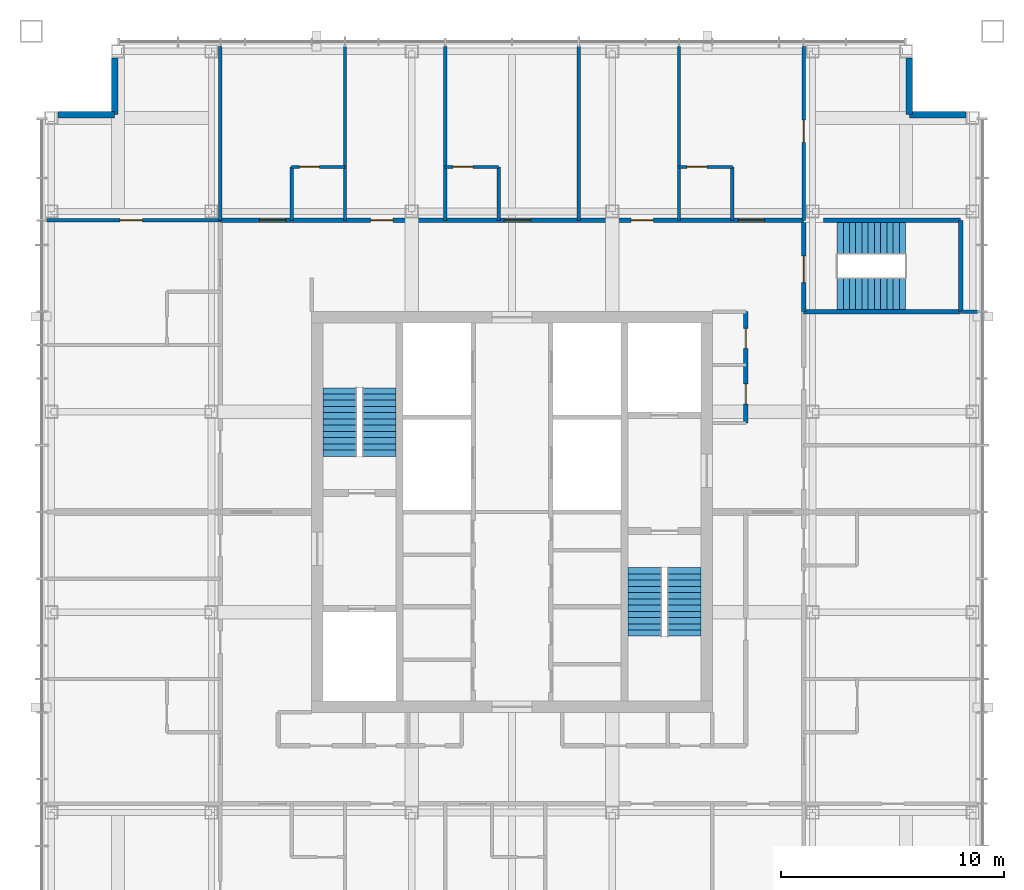
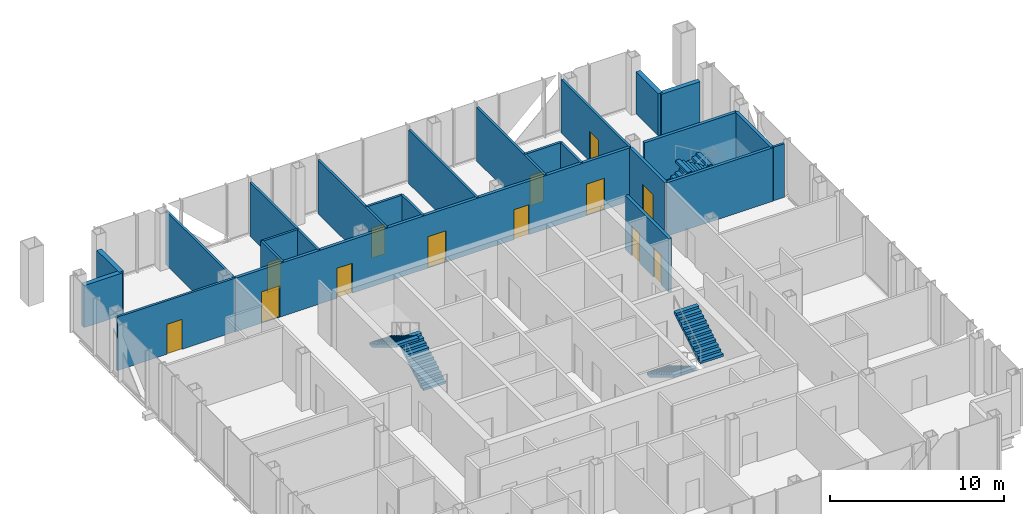
# One storey, part 10 of 11: 24 walls, 13 doors, 6 stair flights, 13 openings, 3 elements without a shape of their own.
"""IFC4 building model written with IfcOpenShell, lengths in metres."""

import ifcopenshell
import ifcopenshell.guid

model = None  # the IFC model being written
_history = None  # IfcOwnerHistory: only IFC2X3 demands one
_inside = {}  # id of a spatial element -> (the spatial element, [elements in it])
_under = {}  # id of a project, library or spatial element -> (it, [spatial elements below it])
_declared = {}  # id of a project -> (the project, [libraries it declares])
_typed = {}  # id of a type object -> (the type object, [elements of that type])
_made_of = {}  # id of a material, layer set ... -> (it, [elements and type objects made of it])


def new_model(schema):
    """Start an empty IFC model of exactly this schema.

    Asked for "IFC4X3", IfcOpenShell would pick the latest addendum, in which some entities
    have other attributes; the version numbers below select the first issue.
    IFC2X3 requires an IfcOwnerHistory on every rooted entity: one is made here for all.
    """
    global model, _history
    if schema == "IFC4X3":
        model = ifcopenshell.file(schema_version=(4, 3, 0, 0))
    else:
        model = ifcopenshell.file(schema=schema)
    _inside.clear()
    _under.clear()
    _declared.clear()
    _typed.clear()
    _made_of.clear()
    _history = None
    if model.schema == "IFC2X3":
        org = make("IfcOrganization", Name="unknown")
        user = make(
            "IfcPersonAndOrganization",
            ThePerson=make("IfcPerson", FamilyName="unknown"),
            TheOrganization=org,
        )
        app = make(
            "IfcApplication",
            ApplicationDeveloper=org,
            Version="unknown",
            ApplicationFullName="unknown",
            ApplicationIdentifier="unknown",
        )
        _history = make(
            "IfcOwnerHistory",
            OwningUser=user,
            OwningApplication=app,
            ChangeAction="ADDED",
            CreationDate=0,
        )
    return model


def make(cls, **values):
    """One entity of the class cls with the attributes given. An attribute that is None is left unset."""
    return model.create_entity(
        cls, **{name: value for name, value in values.items() if value is not None}
    )


def rooted(cls, **values):
    """An entity with a GlobalId (a new one), such as an element, a storey or a relation."""
    return make(cls, GlobalId=ifcopenshell.guid.new(), OwnerHistory=_history, **values)


def si_unit(unit_type, name, prefix=None):
    """IfcSIUnit, for example si_unit("LENGTHUNIT", "METRE", prefix="MILLI")."""
    return make("IfcSIUnit", UnitType=unit_type, Prefix=prefix, Name=name)


def assignment(units):
    """IfcUnitAssignment: the units of a project."""
    return None if units is None else make("IfcUnitAssignment", Units=units)


def point(xyz):
    """IfcCartesianPoint."""
    return None if xyz is None else make("IfcCartesianPoint", Coordinates=xyz)


def direction(xyz):
    """IfcDirection."""
    return None if xyz is None else make("IfcDirection", DirectionRatios=xyz)


def frame(location, z_axis=None, x_axis=None):
    """IfcAxis2Placement3D, a coordinate frame: its origin and axes. An axis left out is left unset."""
    return make(
        "IfcAxis2Placement3D",
        Location=point(location),
        Axis=direction(z_axis),
        RefDirection=direction(x_axis),
    )


def frame_2d(location, x_axis=None):
    """IfcAxis2Placement2D, a coordinate frame in the plane: its origin and x axis."""
    return make(
        "IfcAxis2Placement2D", Location=point(location), RefDirection=direction(x_axis)
    )


def origin():
    """The frame at (0, 0, 0) with its axes left unset."""
    return frame((0.0, 0.0, 0.0))


def place(relative_to, where):
    """IfcLocalPlacement: puts the frame where relative to a parent placement (None: the world)."""
    return make(
        "IfcLocalPlacement", PlacementRelTo=relative_to, RelativePlacement=where
    )


def context(
    kind, dimensions, precision=None, world=None, true_north=None, identifier=None
):
    """IfcGeometricRepresentationContext, for example the 3D "Model" context."""
    return make(
        "IfcGeometricRepresentationContext",
        ContextIdentifier=identifier,
        ContextType=kind,
        CoordinateSpaceDimension=dimensions,
        Precision=precision,
        WorldCoordinateSystem=world,
        TrueNorth=true_north,
    )


def subcontext(parent, identifier, kind, view, scale=None):
    """IfcGeometricRepresentationSubContext, for example "Body" below "Model"."""
    return make(
        "IfcGeometricRepresentationSubContext",
        ContextIdentifier=identifier,
        ContextType=kind,
        ParentContext=parent,
        TargetScale=scale,
        TargetView=view,
    )


def project(units=None, contexts=None):
    """IfcProject with its units and contexts."""
    return rooted(
        "IfcProject",
        Name="project",
        RepresentationContexts=contexts,
        UnitsInContext=assignment(units),
    )


def spatial(cls, under=None, at=None, **own):
    """A site, building, storey or space (cls), placed at a placement, below another one or the project."""
    s = rooted(cls, ObjectPlacement=at, **own)
    if under is not None:
        _under.setdefault(under.id(), (under, []))[1].append(s)
    return s


def polyline(points):
    """IfcPolyline through the points."""
    return make("IfcPolyline", Points=[point(p) for p in points])


def profile(cls, at=None, kind="AREA", **sizes):
    """A parametric profile (cls). Its sizes go by their IFC names, for example OverallWidth=200.0."""
    return make(cls, ProfileType=kind, Position=at, **sizes)


def rectangle(**sizes):
    """IfcRectangleProfileDef."""
    return profile("IfcRectangleProfileDef", **sizes)


def outline(outer, holes=None, kind="AREA"):
    """IfcArbitraryClosedProfileDef: a profile drawn as a closed curve; with holes, ...WithVoids."""
    if holes is None:
        return make("IfcArbitraryClosedProfileDef", ProfileType=kind, OuterCurve=outer)
    return make(
        "IfcArbitraryProfileDefWithVoids",
        ProfileType=kind,
        OuterCurve=outer,
        InnerCurves=holes,
    )


def extrude(swept, where, along, depth):
    """IfcExtrudedAreaSolid: the profile swept, set in the frame where, extruded along a direction by depth."""
    return make(
        "IfcExtrudedAreaSolid",
        SweptArea=swept,
        Position=where,
        ExtrudedDirection=direction(along),
        Depth=depth,
    )


def shape(context_of_items, identifier, shape_type, items):
    """IfcShapeRepresentation: the items that make up one representation, for example the "Body"."""
    return make(
        "IfcShapeRepresentation",
        ContextOfItems=context_of_items,
        RepresentationIdentifier=identifier,
        RepresentationType=shape_type,
        Items=items,
    )


def material(Name=None, Category=None):
    """IfcMaterial."""
    return make("IfcMaterial", Name=Name, Category=Category)


def layer(
    of_material, thickness, ventilated=None, Name=None, Category=None, Priority=None
):
    """IfcMaterialLayer: one layer of a wall or slab, of a material (None: an air gap)."""
    return make(
        "IfcMaterialLayer",
        Material=of_material,
        LayerThickness=thickness,
        IsVentilated=ventilated,
        Name=Name,
        Category=Category,
        Priority=Priority,
    )


def layer_set(layers, Name=None):
    """IfcMaterialLayerSet."""
    return make("IfcMaterialLayerSet", MaterialLayers=layers, LayerSetName=Name)


def made_of(thing, what):
    """Note that an element or type object is made of a material, layer set ...; save() writes the relation."""
    if what is not None:
        _made_of.setdefault(what.id(), (what, []))[1].append(thing)
    return thing


def type_object(cls, material=None, **own):
    """A type object (cls), such as IfcWallType, which elements share."""
    return made_of(rooted(cls, **own), material)


def element(
    cls,
    number,
    at=None,
    inside=None,
    cuts=None,
    type_object=None,
    material=None,
    context=None,
    identifier="Body",
    shape_type=None,
    held_by="IfcProductDefinitionShape",
    body=None,
    shapes=None,
    **own,
):
    """One element of the class cls, such as IfcWall. Its Tag is "e" and its number.

    at: its placement. inside: the storey or other place that contains it. cuts: it is an
    opening in that element (IfcRelVoidsElement). A single representation is given by context,
    identifier, shape_type and body (its items); several are given by shapes. held_by: the class
    of the entity that holds the representations. save() writes the other relations.
    """
    e = rooted(cls, Tag="e%d" % number, ObjectPlacement=at, **own)
    if body is not None:
        shapes = [shape(context, identifier, shape_type, body)]
    if shapes is not None:
        e.Representation = make(held_by, Representations=shapes)
    if inside is not None:
        _inside.setdefault(inside.id(), (inside, []))[1].append(e)
    if cuts is not None:
        rooted(
            "IfcRelVoidsElement", RelatingBuildingElement=cuts, RelatedOpeningElement=e
        )
    if type_object is not None:
        _typed.setdefault(type_object.id(), (type_object, []))[1].append(e)
    return made_of(e, material)


def fill(opening, filler):
    """IfcRelFillsElement: the door or window that sits in an opening."""
    return rooted(
        "IfcRelFillsElement",
        RelatingOpeningElement=opening,
        RelatedBuildingElement=filler,
    )


def aggregate(whole, parts):
    """IfcRelAggregates: a whole, such as a stair, and the parts it consists of."""
    return rooted("IfcRelAggregates", RelatingObject=whole, RelatedObjects=parts)


def save(model, path):
    """Write the relations noted so far, then the file.

    IfcRelAggregates (storeys below a building ...), IfcRelContainedInSpatialStructure (elements
    in a storey), IfcRelDefinesByType, IfcRelAssociatesMaterial and IfcRelDeclares: one each for
    every whole, place, type object, material and project.
    """
    for whole, parts in _under.values():
        aggregate(whole, parts)
    for where, things in _inside.values():
        rooted(
            "IfcRelContainedInSpatialStructure",
            RelatedElements=things,
            RelatingStructure=where,
        )
    for kind, things in _typed.values():
        rooted("IfcRelDefinesByType", RelatedObjects=things, RelatingType=kind)
    for what, things in _made_of.values():
        rooted("IfcRelAssociatesMaterial", RelatedObjects=things, RelatingMaterial=what)
    for by, libraries in _declared.values():
        rooted("IfcRelDeclares", RelatingContext=by, RelatedDefinitions=libraries)
    model.write(path)


model = new_model("IFC4")

# Units and contexts
model_context = context("Model", 3, precision=1e-05, world=origin(), true_north=direction((0.0, 1.0)))
body_context = subcontext(model_context, "Body", "Model", "MODEL_VIEW")
ifc_project = project(units=[si_unit("LENGTHUNIT", "METRE"), si_unit("AREAUNIT", "SQUARE_METRE"), si_unit("VOLUMEUNIT", "CUBIC_METRE"), si_unit("PLANEANGLEUNIT", "RADIAN"), si_unit("MASSUNIT", "GRAM", prefix="KILO")], contexts=[model_context])

# Site, building, storey
site_placement = place(None, origin())
site = spatial("IfcSite", under=ifc_project, at=site_placement, CompositionType="ELEMENT")
building_placement = place(site_placement, origin())
building = spatial("IfcBuilding", under=site, at=building_placement, Name="Malebo Sky Hospital", CompositionType="ELEMENT")
storey_placement = place(building_placement, frame((0.0, 0.0, 278.0)))
storey = spatial("IfcBuildingStorey", under=building, at=storey_placement, Name="L67", CompositionType="ELEMENT", Elevation=278.0)

# Wall, openings, doors
ifc_material_1 = material(Name="Gypsum board on steel studs", Category="steel")
ifc_layer_1 = layer(ifc_material_1, 0.199951171875)
ifc_layer_set_1 = layer_set([ifc_layer_1], Name="CORRIDOR WALL 200")
wall_type_1 = type_object("IfcWallType", Name="CORRIDOR WALL 200", PredefinedType="PARTITIONING", material=ifc_layer_set_1)
wall_1_placement = place(storey_placement, frame((46.89990234375, 75.10009765625, 0.0), z_axis=(0.0, 0.0, 1.0), x_axis=(1.0, 0.0, 0.0)))
wall_1 = element("IfcWall", 1, at=wall_1_placement, inside=storey, type_object=wall_type_1, Name="Corridor Wall 200 NCO", PredefinedType="PARTITIONING", context=body_context, shape_type="SweptSolid", body=[
    extrude(rectangle(XDim=26.2001953125, YDim=0.199951171875, at=frame_2d((13.10009765625, 0.0))), origin(), (0.0, 0.0, 1.0), 3.75),
])
opening_1_placement = place(wall_1_placement, frame((1.75, 0.0, 0.0)))
opening_1 = element("IfcOpeningElement", 2, at=opening_1_placement, cuts=wall_1, Name="Opening D01", PredefinedType="OPENING", context=body_context, shape_type="SweptSolid", body=[
    extrude(rectangle(XDim=1.199951171875, YDim=2.199951171875, at=frame_2d((0.60009765625, 1.10009765625))), frame((0.0, 0.10986328125, 0.0), z_axis=(0.0, -1.0, 0.0), x_axis=(1.0, 0.0, 0.0)), (0.0, 0.0, 1.0), 0.219970703125),
])
opening_2_placement = place(wall_1_placement, frame((6.75, 0.0, 0.0)))
opening_2 = element("IfcOpeningElement", 3, at=opening_2_placement, cuts=wall_1, Name="Opening D03", PredefinedType="OPENING", context=body_context, shape_type="SweptSolid", body=[
    extrude(rectangle(XDim=1.0, YDim=2.10009765625, at=frame_2d((0.5, 1.050048828125))), frame((0.0, 0.10986328125, 0.0), z_axis=(0.0, -1.0, 0.0), x_axis=(1.0, 0.0, 0.0)), (0.0, 0.0, 1.0), 0.219970703125),
])
opening_3_placement = place(wall_1_placement, frame((12.75, 0.0, 0.0)))
opening_3 = element("IfcOpeningElement", 4, at=opening_3_placement, cuts=wall_1, Name="Opening D01", PredefinedType="OPENING", context=body_context, shape_type="SweptSolid", body=[
    extrude(rectangle(XDim=1.199951171875, YDim=2.199951171875, at=frame_2d((0.60009765625, 1.10009765625))), frame((0.0, 0.10986328125, 0.0), z_axis=(0.0, -1.0, 0.0), x_axis=(1.0, 0.0, 0.0)), (0.0, 0.0, 1.0), 0.219970703125),
])
opening_4_placement = place(wall_1_placement, frame((18.449951171875, 0.0, 0.0)))
opening_4 = element("IfcOpeningElement", 5, at=opening_4_placement, cuts=wall_1, Name="Opening D03", PredefinedType="OPENING", context=body_context, shape_type="SweptSolid", body=[
    extrude(rectangle(XDim=1.0, YDim=2.10009765625, at=frame_2d((0.5, 1.050048828125))), frame((0.0, 0.10986328125, 0.0), z_axis=(0.0, -1.0, 0.0), x_axis=(1.0, 0.0, 0.0)), (0.0, 0.0, 1.0), 0.219970703125),
])
opening_5_placement = place(wall_1_placement, frame((23.25, 0.0, 0.0)))
opening_5 = element("IfcOpeningElement", 6, at=opening_5_placement, cuts=wall_1, Name="Opening D01", PredefinedType="OPENING", context=body_context, shape_type="SweptSolid", body=[
    extrude(rectangle(XDim=1.199951171875, YDim=2.199951171875, at=frame_2d((0.60009765625, 1.10009765625))), frame((0.0, 0.10986328125, 0.0), z_axis=(0.0, -1.0, 0.0), x_axis=(1.0, 0.0, 0.0)), (0.0, 0.0, 1.0), 0.219970703125),
])
ifc_material_2 = material(Name="Hardwood-faced door leaf in steel frame", Category="steel")
door_type_1 = type_object("IfcDoorType", Name="BED DOOR 1200", OperationType="SINGLE_SWING_LEFT", PredefinedType="DOOR", material=ifc_material_2)
door_1_placement = place(opening_1_placement, origin())
door_1 = element("IfcDoor", 7, at=door_1_placement, inside=storey, type_object=door_type_1, Name="Private patient suite door", OperationType="SINGLE_SWING_RIGHT", OverallHeight=2.199951171875, OverallWidth=1.199951171875, PredefinedType="DOOR", context=body_context, shape_type="SweptSolid", body=[
    extrude(rectangle(XDim=1.199951171875, YDim=2.199951171875, at=frame_2d((0.60009765625, 1.10009765625))), frame((0.0, 0.02490234375, 0.0), z_axis=(0.0, -1.0, 0.0), x_axis=(1.0, 0.0, 0.0)), (0.0, 0.0, 1.0), 0.050048828125),
])
fill(opening_1, door_1)
door_2_placement = place(opening_3_placement, origin())
door_2 = element("IfcDoor", 8, at=door_2_placement, inside=storey, type_object=door_type_1, Name="Private patient suite door", OperationType="SINGLE_SWING_LEFT", OverallHeight=2.199951171875, OverallWidth=1.199951171875, PredefinedType="DOOR", context=body_context, shape_type="SweptSolid", body=[
    extrude(rectangle(XDim=1.199951171875, YDim=2.199951171875, at=frame_2d((0.60009765625, 1.10009765625))), frame((0.0, 0.02490234375, 0.0), z_axis=(0.0, -1.0, 0.0), x_axis=(1.0, 0.0, 0.0)), (0.0, 0.0, 1.0), 0.050048828125),
])
fill(opening_3, door_2)
door_3_placement = place(opening_5_placement, origin())
door_3 = element("IfcDoor", 9, at=door_3_placement, inside=storey, type_object=door_type_1, Name="Private patient suite door", OperationType="SINGLE_SWING_LEFT", OverallHeight=2.199951171875, OverallWidth=1.199951171875, PredefinedType="DOOR", context=body_context, shape_type="SweptSolid", body=[
    extrude(rectangle(XDim=1.199951171875, YDim=2.199951171875, at=frame_2d((0.60009765625, 1.10009765625))), frame((0.0, 0.02490234375, 0.0), z_axis=(0.0, -1.0, 0.0), x_axis=(1.0, 0.0, 0.0)), (0.0, 0.0, 1.0), 0.050048828125),
])
fill(opening_5, door_3)
door_type_2 = type_object("IfcDoorType", Name="ROOM DOOR 1000", OperationType="SINGLE_SWING_LEFT", PredefinedType="DOOR", material=ifc_material_2)
door_4_placement = place(opening_2_placement, origin())
door_4 = element("IfcDoor", 10, at=door_4_placement, inside=storey, type_object=door_type_2, Name="Nurse station door", OperationType="SINGLE_SWING_LEFT", OverallHeight=2.10009765625, OverallWidth=1.0, PredefinedType="DOOR", context=body_context, shape_type="SweptSolid", body=[
    extrude(rectangle(XDim=1.0, YDim=2.10009765625, at=frame_2d((0.5, 1.050048828125))), frame((0.0, 0.02490234375, 0.0), z_axis=(0.0, -1.0, 0.0), x_axis=(1.0, 0.0, 0.0)), (0.0, 0.0, 1.0), 0.050048828125),
])
fill(opening_2, door_4)
door_5_placement = place(opening_4_placement, origin())
door_5 = element("IfcDoor", 11, at=door_5_placement, inside=storey, type_object=door_type_2, Name="Concierge office door", OperationType="SINGLE_SWING_RIGHT", OverallHeight=2.10009765625, OverallWidth=1.0, PredefinedType="DOOR", context=body_context, shape_type="SweptSolid", body=[
    extrude(rectangle(XDim=1.0, YDim=2.10009765625, at=frame_2d((0.5, 1.050048828125))), frame((0.0, 0.02490234375, 0.0), z_axis=(0.0, -1.0, 0.0), x_axis=(1.0, 0.0, 0.0)), (0.0, 0.0, 1.0), 0.050048828125),
])
fill(opening_4, door_5)

wall_2_placement = place(storey_placement, frame((70.5, 71.0, 0.0), z_axis=(0.0, 0.0, 1.0), x_axis=(0.0, -1.0, 0.0)))
wall_2 = element("IfcWall", 12, at=wall_2_placement, inside=storey, type_object=wall_type_1, Name="Corridor Wall 200 ECI1", PredefinedType="PARTITIONING", context=body_context, shape_type="SweptSolid", body=[
    extrude(rectangle(XDim=5.0, YDim=0.199951171875, at=frame_2d((2.5, 0.0))), origin(), (0.0, 0.0, 1.0), 3.75),
])
opening_6_placement = place(wall_2_placement, frame((0.75, 0.0, 0.0)))
opening_6 = element("IfcOpeningElement", 13, at=opening_6_placement, cuts=wall_2, Name="Opening D04", PredefinedType="OPENING", context=body_context, shape_type="SweptSolid", body=[
    extrude(rectangle(XDim=0.89990234375, YDim=2.10009765625, at=frame_2d((0.449951171875, 1.050048828125))), frame((0.0, 0.10986328125, 0.0), z_axis=(0.0, -1.0, 0.0), x_axis=(1.0, 0.0, 0.0)), (0.0, 0.0, 1.0), 0.219970703125),
])
opening_7_placement = place(wall_2_placement, frame((3.25, 0.0, 0.0)))
opening_7 = element("IfcOpeningElement", 14, at=opening_7_placement, cuts=wall_2, Name="Opening D04", PredefinedType="OPENING", context=body_context, shape_type="SweptSolid", body=[
    extrude(rectangle(XDim=0.89990234375, YDim=2.10009765625, at=frame_2d((0.449951171875, 1.050048828125))), frame((0.0, 0.10986328125, 0.0), z_axis=(0.0, -1.0, 0.0), x_axis=(1.0, 0.0, 0.0)), (0.0, 0.0, 1.0), 0.219970703125),
])
door_type_3 = type_object("IfcDoorType", Name="ROOM DOOR 900", OperationType="SINGLE_SWING_LEFT", PredefinedType="DOOR", material=ifc_material_2)
door_6_placement = place(opening_6_placement, origin())
door_6 = element("IfcDoor", 15, at=door_6_placement, inside=storey, type_object=door_type_3, Name="Communications room door", OperationType="SINGLE_SWING_LEFT", OverallHeight=2.10009765625, OverallWidth=0.89990234375, PredefinedType="DOOR", context=body_context, shape_type="SweptSolid", body=[
    extrude(rectangle(XDim=0.89990234375, YDim=2.10009765625, at=frame_2d((0.449951171875, 1.050048828125))), frame((0.0, 0.02490234375, 0.0), z_axis=(0.0, -1.0, 0.0), x_axis=(1.0, 0.0, 0.0)), (0.0, 0.0, 1.0), 0.050048828125),
])
fill(opening_6, door_6)
door_7_placement = place(opening_7_placement, origin())
door_7 = element("IfcDoor", 16, at=door_7_placement, inside=storey, type_object=door_type_3, Name="Luggage store door", OperationType="SINGLE_SWING_LEFT", OverallHeight=2.10009765625, OverallWidth=0.89990234375, PredefinedType="DOOR", context=body_context, shape_type="SweptSolid", body=[
    extrude(rectangle(XDim=0.89990234375, YDim=2.10009765625, at=frame_2d((0.449951171875, 1.050048828125))), frame((0.0, 0.02490234375, 0.0), z_axis=(0.0, -1.0, 0.0), x_axis=(1.0, 0.0, 0.0)), (0.0, 0.0, 1.0), 0.050048828125),
])
fill(opening_7, door_7)

# Walls
ifc_material_3 = material(Name="Anodised aluminium rainscreen on steel framing", Category="steel")
ifc_layer_2 = layer(ifc_material_3, 0.300048828125)
ifc_layer_set_2 = layer_set([ifc_layer_2], Name="NOTCH RAINSCREEN WALL 300")
wall_type_2 = type_object("IfcWallType", Name="NOTCH RAINSCREEN WALL 300", PredefinedType="ELEMENTEDWALL", material=ifc_layer_set_2)
for number, where, z_axis, x_axis, name in (
    (17, (77.85009765625, 82.39990234375, 0.0), (0.0, 0.0, 1.0), (0.0, -1.0, 0.0), "Notch rainscreen wall N1 L67"),
    (18, (77.85009765625, 79.85009765625, 0.0), (0.0, 0.0, 1.0), (1.0, 0.0, 0.0), "Notch rainscreen wall N2 L67"),
    (19, (39.60009765625, 79.85009765625, 0.0), (0.0, 0.0, 1.0), (1.0, 0.0, 0.0), "Notch rainscreen wall W1 L67"),
    (20, (42.14990234375, 79.85009765625, 0.0), (0.0, 0.0, 1.0), (0.0, 1.0, 0.0), "Notch rainscreen wall W2 L67"),
):
    element("IfcWall", number, at=place(storey_placement, frame(where, z_axis=z_axis, x_axis=x_axis)), inside=storey, type_object=wall_type_2, Name=name, PredefinedType="ELEMENTEDWALL", context=body_context, shape_type="SweptSolid", body=[
        extrude(rectangle(XDim=2.5498046875, YDim=0.300048828125, at=frame_2d((1.27490234375, 0.0))), origin(), (0.0, 0.0, 1.0), 2.949951171875),
    ])
ifc_layer_3 = layer(ifc_material_1, 0.14990234375)
ifc_layer_set_3 = layer_set([ifc_layer_3], Name="PARTITION 150")
wall_type_3 = type_object("IfcWallType", Name="PARTITION 150", PredefinedType="PARTITIONING", material=ifc_layer_set_3)
for number, where, z_axis, x_axis, name in (
    (21, (52.5, 75.10009765625, 0.0), (0.0, 0.0, 1.0), (0.0, 1.0, 0.0), "Partition 150 NP-7.5"),
    (22, (57.0, 75.10009765625, 0.0), (0.0, 0.0, 1.0), (0.0, 1.0, 0.0), "Partition 150 NP-3.0"),
    (23, (63.0, 75.10009765625, 0.0), (0.0, 0.0, 1.0), (0.0, 1.0, 0.0), "Partition 150 NP+3.0"),
    (24, (67.5, 75.10009765625, 0.0), (0.0, 0.0, 1.0), (0.0, 1.0, 0.0), "Partition 150 NP+7.5"),
    (25, (46.89990234375, 75.10009765625, 0.0), (0.0, 0.0, 1.0), (0.0, 1.0, 0.0), "Partition 150 NP0"),
):
    element("IfcWall", number, at=place(storey_placement, frame(where, z_axis=z_axis, x_axis=x_axis)), inside=storey, type_object=wall_type_3, Name=name, PredefinedType="PARTITIONING", context=body_context, shape_type="SweptSolid", body=[
        extrude(rectangle(XDim=7.7998046875, YDim=0.14990234375, at=frame_2d((3.89990234375, 0.0))), origin(), (0.0, 0.0, 1.0), 3.75),
    ])

# Wall, opening, door
wall_3_placement = place(storey_placement, frame((50.10009765625, 77.5, 0.0), z_axis=(0.0, 0.0, 1.0), x_axis=(1.0, 0.0, 0.0)))
wall_3 = element("IfcWall", 26, at=wall_3_placement, inside=storey, type_object=wall_type_3, Name="Partition 150 NE0F", PredefinedType="PARTITIONING", context=body_context, shape_type="SweptSolid", body=[
    extrude(rectangle(XDim=2.39990234375, YDim=0.14990234375, at=frame_2d((1.199951171875, 0.0))), origin(), (0.0, 0.0, 1.0), 3.75),
])
opening_8_placement = place(wall_3_placement, frame((0.35009765625, 0.0, 0.0)))
opening_8 = element("IfcOpeningElement", 27, at=opening_8_placement, cuts=wall_3, Name="Opening D02", PredefinedType="OPENING", context=body_context, shape_type="SweptSolid", body=[
    extrude(rectangle(XDim=0.89990234375, YDim=2.10009765625, at=frame_2d((0.449951171875, 1.050048828125))), frame((0.0, 0.0849609375, 0.0), z_axis=(0.0, -1.0, 0.0), x_axis=(1.0, 0.0, 0.0)), (0.0, 0.0, 1.0), 0.169921875),
])
door_type_4 = type_object("IfcDoorType", Name="EN-SUITE DOOR 900", OperationType="SINGLE_SWING_LEFT", PredefinedType="DOOR", material=ifc_material_2)
door_8_placement = place(opening_8_placement, origin())
door_8 = element("IfcDoor", 28, at=door_8_placement, inside=storey, type_object=door_type_4, Name="En-suite door", OperationType="SINGLE_SWING_LEFT", OverallHeight=2.10009765625, OverallWidth=0.89990234375, PredefinedType="DOOR", context=body_context, shape_type="SweptSolid", body=[
    extrude(rectangle(XDim=0.89990234375, YDim=2.10009765625, at=frame_2d((0.449951171875, 1.050048828125))), frame((0.0, 0.02490234375, 0.0), z_axis=(0.0, -1.0, 0.0), x_axis=(1.0, 0.0, 0.0)), (0.0, 0.0, 1.0), 0.050048828125),
])
fill(opening_8, door_8)

# Wall
wall_4_placement = place(storey_placement, frame((50.10009765625, 75.10009765625, 0.0), z_axis=(0.0, 0.0, 1.0), x_axis=(0.0, 1.0, 0.0)))
element("IfcWall", 29, at=wall_4_placement, inside=storey, type_object=wall_type_3, Name="Partition 150 NE0S", PredefinedType="PARTITIONING", context=body_context, shape_type="SweptSolid", body=[
    extrude(rectangle(XDim=2.39990234375, YDim=0.14990234375, at=frame_2d((1.199951171875, 0.0))), origin(), (0.0, 0.0, 1.0), 3.75),
])

# Wall, opening, door
wall_5_placement = place(storey_placement, frame((57.0, 77.5, 0.0), z_axis=(0.0, 0.0, 1.0), x_axis=(1.0, 0.0, 0.0)))
wall_5 = element("IfcWall", 30, at=wall_5_placement, inside=storey, type_object=wall_type_3, Name="Partition 150 NE2F", PredefinedType="PARTITIONING", context=body_context, shape_type="SweptSolid", body=[
    extrude(rectangle(XDim=2.39990234375, YDim=0.14990234375, at=frame_2d((1.199951171875, 0.0))), origin(), (0.0, 0.0, 1.0), 3.75),
])
opening_9_placement = place(wall_5_placement, frame((0.35009765625, 0.0, 0.0)))
opening_9 = element("IfcOpeningElement", 31, at=opening_9_placement, cuts=wall_5, Name="Opening D02", PredefinedType="OPENING", context=body_context, shape_type="SweptSolid", body=[
    extrude(rectangle(XDim=0.89990234375, YDim=2.10009765625, at=frame_2d((0.449951171875, 1.050048828125))), frame((0.0, 0.0849609375, 0.0), z_axis=(0.0, -1.0, 0.0), x_axis=(1.0, 0.0, 0.0)), (0.0, 0.0, 1.0), 0.169921875),
])
door_9_placement = place(opening_9_placement, origin())
door_9 = element("IfcDoor", 32, at=door_9_placement, inside=storey, type_object=door_type_4, Name="En-suite door", OperationType="SINGLE_SWING_LEFT", OverallHeight=2.10009765625, OverallWidth=0.89990234375, PredefinedType="DOOR", context=body_context, shape_type="SweptSolid", body=[
    extrude(rectangle(XDim=0.89990234375, YDim=2.10009765625, at=frame_2d((0.449951171875, 1.050048828125))), frame((0.0, 0.02490234375, 0.0), z_axis=(0.0, -1.0, 0.0), x_axis=(1.0, 0.0, 0.0)), (0.0, 0.0, 1.0), 0.050048828125),
])
fill(opening_9, door_9)

# Wall
wall_6_placement = place(storey_placement, frame((59.39990234375, 75.10009765625, 0.0), z_axis=(0.0, 0.0, 1.0), x_axis=(0.0, 1.0, 0.0)))
element("IfcWall", 33, at=wall_6_placement, inside=storey, type_object=wall_type_3, Name="Partition 150 NE2S", PredefinedType="PARTITIONING", context=body_context, shape_type="SweptSolid", body=[
    extrude(rectangle(XDim=2.39990234375, YDim=0.14990234375, at=frame_2d((1.199951171875, 0.0))), origin(), (0.0, 0.0, 1.0), 3.75),
])

# Wall, opening, door
wall_7_placement = place(storey_placement, frame((73.10009765625, 75.10009765625, 0.0), z_axis=(0.0, 0.0, 1.0), x_axis=(0.0, 1.0, 0.0)))
wall_7 = element("IfcWall", 34, at=wall_7_placement, inside=storey, type_object=wall_type_3, Name="Partition 150 NK", PredefinedType="PARTITIONING", context=body_context, shape_type="SweptSolid", body=[
    extrude(rectangle(XDim=7.7998046875, YDim=0.14990234375, at=frame_2d((3.89990234375, 0.0))), origin(), (0.0, 0.0, 1.0), 3.75),
])
opening_10_placement = place(wall_7_placement, frame((3.5, 0.0, 0.0)))
opening_10 = element("IfcOpeningElement", 35, at=opening_10_placement, cuts=wall_7, Name="Opening D03", PredefinedType="OPENING", context=body_context, shape_type="SweptSolid", body=[
    extrude(rectangle(XDim=1.0, YDim=2.10009765625, at=frame_2d((0.5, 1.050048828125))), frame((0.0, 0.0849609375, 0.0), z_axis=(0.0, -1.0, 0.0), x_axis=(1.0, 0.0, 0.0)), (0.0, 0.0, 1.0), 0.169921875),
])
door_10_placement = place(opening_10_placement, origin())
door_10 = element("IfcDoor", 36, at=door_10_placement, inside=storey, type_object=door_type_2, Name="Quiet room door", OperationType="SINGLE_SWING_RIGHT", OverallHeight=2.10009765625, OverallWidth=1.0, PredefinedType="DOOR", context=body_context, shape_type="SweptSolid", body=[
    extrude(rectangle(XDim=1.0, YDim=2.10009765625, at=frame_2d((0.5, 1.050048828125))), frame((0.0, 0.02490234375, 0.0), z_axis=(0.0, -1.0, 0.0), x_axis=(1.0, 0.0, 0.0)), (0.0, 0.0, 1.0), 0.050048828125),
])
fill(opening_10, door_10)

wall_8_placement = place(storey_placement, frame((67.5, 77.5, 0.0), z_axis=(0.0, 0.0, 1.0), x_axis=(1.0, 0.0, 0.0)))
wall_8 = element("IfcWall", 37, at=wall_8_placement, inside=storey, type_object=wall_type_3, Name="Partition 150 NE4F", PredefinedType="PARTITIONING", context=body_context, shape_type="SweptSolid", body=[
    extrude(rectangle(XDim=2.39990234375, YDim=0.14990234375, at=frame_2d((1.199951171875, 0.0))), origin(), (0.0, 0.0, 1.0), 3.75),
])
opening_11_placement = place(wall_8_placement, frame((0.35009765625, 0.0, 0.0)))
opening_11 = element("IfcOpeningElement", 38, at=opening_11_placement, cuts=wall_8, Name="Opening D02", PredefinedType="OPENING", context=body_context, shape_type="SweptSolid", body=[
    extrude(rectangle(XDim=0.89990234375, YDim=2.10009765625, at=frame_2d((0.449951171875, 1.050048828125))), frame((0.0, 0.0849609375, 0.0), z_axis=(0.0, -1.0, 0.0), x_axis=(1.0, 0.0, 0.0)), (0.0, 0.0, 1.0), 0.169921875),
])
door_11_placement = place(opening_11_placement, origin())
door_11 = element("IfcDoor", 39, at=door_11_placement, inside=storey, type_object=door_type_4, Name="En-suite door", OperationType="SINGLE_SWING_LEFT", OverallHeight=2.10009765625, OverallWidth=0.89990234375, PredefinedType="DOOR", context=body_context, shape_type="SweptSolid", body=[
    extrude(rectangle(XDim=0.89990234375, YDim=2.10009765625, at=frame_2d((0.449951171875, 1.050048828125))), frame((0.0, 0.02490234375, 0.0), z_axis=(0.0, -1.0, 0.0), x_axis=(1.0, 0.0, 0.0)), (0.0, 0.0, 1.0), 0.050048828125),
])
fill(opening_11, door_11)

# Wall
wall_9_placement = place(storey_placement, frame((69.89990234375, 75.10009765625, 0.0), z_axis=(0.0, 0.0, 1.0), x_axis=(0.0, 1.0, 0.0)))
element("IfcWall", 40, at=wall_9_placement, inside=storey, type_object=wall_type_3, Name="Partition 150 NE4S", PredefinedType="PARTITIONING", context=body_context, shape_type="SweptSolid", body=[
    extrude(rectangle(XDim=2.39990234375, YDim=0.14990234375, at=frame_2d((1.199951171875, 0.0))), origin(), (0.0, 0.0, 1.0), 3.75),
])

# Wall, opening, door
wall_10_placement = place(storey_placement, frame((46.89990234375, 75.10009765625, 0.0), z_axis=(0.0, 0.0, 1.0), x_axis=(-1.0, 0.0, 0.0)))
wall_10 = element("IfcWall", 41, at=wall_10_placement, inside=storey, type_object=wall_type_3, Name="Partition 150 WK", PredefinedType="PARTITIONING", context=body_context, shape_type="SweptSolid", body=[
    extrude(rectangle(XDim=7.7998046875, YDim=0.14990234375, at=frame_2d((3.89990234375, 0.0))), origin(), (0.0, 0.0, 1.0), 3.75),
])
opening_12_placement = place(wall_10_placement, frame((3.5, 0.0, 0.0)))
opening_12 = element("IfcOpeningElement", 42, at=opening_12_placement, cuts=wall_10, Name="Opening D03", PredefinedType="OPENING", context=body_context, shape_type="SweptSolid", body=[
    extrude(rectangle(XDim=1.0, YDim=2.10009765625, at=frame_2d((0.5, 1.050048828125))), frame((0.0, 0.0849609375, 0.0), z_axis=(0.0, -1.0, 0.0), x_axis=(1.0, 0.0, 0.0)), (0.0, 0.0, 1.0), 0.169921875),
])
door_12_placement = place(opening_12_placement, origin())
door_12 = element("IfcDoor", 43, at=door_12_placement, inside=storey, type_object=door_type_2, Name="Suite sitting room door", OperationType="SINGLE_SWING_RIGHT", OverallHeight=2.10009765625, OverallWidth=1.0, PredefinedType="DOOR", context=body_context, shape_type="SweptSolid", body=[
    extrude(rectangle(XDim=1.0, YDim=2.10009765625, at=frame_2d((0.5, 1.050048828125))), frame((0.0, 0.02490234375, 0.0), z_axis=(0.0, -1.0, 0.0), x_axis=(1.0, 0.0, 0.0)), (0.0, 0.0, 1.0), 0.050048828125),
])
fill(opening_12, door_12)

# Wall
wall_11_placement = place(storey_placement, frame((80.199951171875, 71.0, 0.0), z_axis=(0.0, 0.0, 1.0), x_axis=(1.0, 0.0, 0.0)))
element("IfcWall", 44, at=wall_11_placement, inside=storey, type_object=wall_type_3, Name="Partition 150 EP-9.0", PredefinedType="PARTITIONING", context=body_context, shape_type="SweptSolid", body=[
    extrude(rectangle(XDim=0.699951171875, YDim=0.14990234375, at=frame_2d((0.35009765625, 0.0))), origin(), (0.0, 0.0, 1.0), 3.75),
])

# Wall, opening, door
ifc_material_4 = material(Name="Concrete C40/50", Category="concrete")
ifc_layer_4 = layer(ifc_material_4, 0.199951171875)
ifc_layer_set_4 = layer_set([ifc_layer_4], Name="STAIR ENCLOSURE WALL 200")
wall_type_4 = type_object("IfcWallType", Name="STAIR ENCLOSURE WALL 200", PredefinedType="SOLIDWALL", material=ifc_layer_set_4)
wall_12_placement = place(storey_placement, frame((73.10009765625, 75.0, 0.0), z_axis=(0.0, 0.0, 1.0), x_axis=(0.0, -1.0, 0.0)))
wall_12 = element("IfcWall", 45, at=wall_12_placement, inside=storey, type_object=wall_type_4, Name="Stair Enclosure Wall 200 ST3W", PredefinedType="SOLIDWALL", context=body_context, shape_type="SweptSolid", body=[
    extrude(rectangle(XDim=4.0, YDim=0.199951171875, at=frame_2d((2.0, 0.0))), origin(), (0.0, 0.0, 1.0), 3.75),
])
opening_13_placement = place(wall_12_placement, frame((1.5, 0.0, 0.0)))
opening_13 = element("IfcOpeningElement", 46, at=opening_13_placement, cuts=wall_12, Name="Opening D08", PredefinedType="OPENING", context=body_context, shape_type="SweptSolid", body=[
    extrude(rectangle(XDim=1.199951171875, YDim=2.10009765625, at=frame_2d((0.60009765625, 1.050048828125))), frame((0.0, 0.10986328125, 0.0), z_axis=(0.0, -1.0, 0.0), x_axis=(1.0, 0.0, 0.0)), (0.0, 0.0, 1.0), 0.219970703125),
])
door_type_5 = type_object("IfcDoorType", Name="STAIR DOOR 1200", OperationType="SINGLE_SWING_LEFT", PredefinedType="DOOR", material=ifc_material_2)
door_13_placement = place(opening_13_placement, origin())
door_13 = element("IfcDoor", 47, at=door_13_placement, inside=storey, type_object=door_type_5, Name="Stair S3 door", OperationType="SINGLE_SWING_RIGHT", OverallHeight=2.10009765625, OverallWidth=1.199951171875, PredefinedType="DOOR", context=body_context, shape_type="SweptSolid", body=[
    extrude(rectangle(XDim=1.199951171875, YDim=2.10009765625, at=frame_2d((0.60009765625, 1.050048828125))), frame((0.0, 0.02490234375, 0.0), z_axis=(0.0, -1.0, 0.0), x_axis=(1.0, 0.0, 0.0)), (0.0, 0.0, 1.0), 0.050048828125),
])
fill(opening_13, door_13)

# Walls
wall_13_placement = place(storey_placement, frame((73.10009765625, 71.0, 0.0), z_axis=(0.0, 0.0, 1.0), x_axis=(1.0, 0.0, 0.0)))
element("IfcWall", 48, at=wall_13_placement, inside=storey, type_object=wall_type_4, Name="Stair Enclosure Wall 200 ST3S", PredefinedType="SOLIDWALL", context=body_context, shape_type="SweptSolid", body=[
    extrude(rectangle(XDim=7.0498046875, YDim=0.199951171875, at=frame_2d((3.52490234375, 0.0))), origin(), (0.0, 0.0, 1.0), 3.75),
])
wall_14_placement = place(storey_placement, frame((80.14990234375, 71.0, 0.0), z_axis=(0.0, 0.0, 1.0), x_axis=(0.0, 1.0, 0.0)))
element("IfcWall", 49, at=wall_14_placement, inside=storey, type_object=wall_type_4, Name="Stair Enclosure Wall 200 ST3EE", PredefinedType="SOLIDWALL", context=body_context, shape_type="SweptSolid", body=[
    extrude(rectangle(XDim=4.10009765625, YDim=0.199951171875, at=frame_2d((2.050048828125, 0.0))), origin(), (0.0, 0.0, 1.0), 3.75),
])
wall_15_placement = place(storey_placement, frame((74.0, 75.10009765625, 0.0), z_axis=(0.0, 0.0, 1.0), x_axis=(1.0, 0.0, 0.0)))
element("IfcWall", 50, at=wall_15_placement, inside=storey, type_object=wall_type_4, Name="Stair Enclosure Wall 200 ST3N", PredefinedType="SOLIDWALL", context=body_context, shape_type="SweptSolid", body=[
    extrude(rectangle(XDim=6.14990234375, YDim=0.199951171875, at=frame_2d((3.074951171875, 0.0))), origin(), (0.0, 0.0, 1.0), 3.75),
])

# Stair, stair flights
stair_type_1 = type_object("IfcStairType", Name="HALF-TURN STAIR 1400 R167", PredefinedType="HALF_TURN_STAIR", material=ifc_material_4)
stair_1_placement = place(storey_placement, origin())
stair_1 = element("IfcStair", 51, at=stair_1_placement, inside=storey, type_object=stair_type_1, Name="Stair S3 L67 type ST1B", PredefinedType="HALF_TURN_STAIR")
stair_flight_type_1 = type_object("IfcStairFlightType", Name="STAIR FLIGHT 1400 R167", PredefinedType="STRAIGHT", material=ifc_material_4)
stair_flight_1_placement = place(storey_placement, frame((74.60009765625, 74.300048828125, 0.0), z_axis=(0.0, 0.0, 1.0), x_axis=(1.0, 0.0, 0.0)))
stair_flight_1 = element("IfcStairFlight", 52, at=stair_flight_1_placement, type_object=stair_flight_type_1, Name="S3 flight 1 type SF1B", NumberOfRisers=12, NumberOfTreads=11, PredefinedType="STRAIGHT", RiserHeight=0.166666667, TreadLength=0.28, context=body_context, shape_type="SweptSolid", body=[
    extrude(outline(polyline([(0.0, 0.0), (0.0, 0.166748046875), (0.280029296875, 0.166748046875), (0.280029296875, 0.333251953125), (0.56005859375, 0.333251953125), (0.56005859375, 0.5), (0.840087890625, 0.5), (0.840087890625, 0.666748046875), (1.1201171875, 0.666748046875), (1.1201171875, 0.833251953125), (1.39990234375, 0.833251953125), (1.39990234375, 1.0), (1.679931640625, 1.0), (1.679931640625, 1.166748046875), (1.9599609375, 1.166748046875), (1.9599609375, 1.333251953125), (2.239990234375, 1.333251953125), (2.239990234375, 1.5), (2.52001953125, 1.5), (2.52001953125, 1.666748046875), (2.800048828125, 1.666748046875), (2.800048828125, 1.833251953125), (3.080078125, 1.833251953125), (3.080078125, 2.0), (3.080078125, 1.658935546875), (0.29296875, 0.0), (0.0, 0.0)])), frame((0.0, 0.699951171875, 0.0), z_axis=(0.0, -1.0, 0.0), x_axis=(1.0, 0.0, 0.0)), (0.0, 0.0, 1.0), 1.39990234375),
])
stair_flight_2_placement = place(storey_placement, frame((77.679931640625, 71.800048828125, 2.0), z_axis=(0.0, 0.0, 1.0), x_axis=(-1.0, 0.0, 0.0)))
stair_flight_2 = element("IfcStairFlight", 53, at=stair_flight_2_placement, type_object=stair_flight_type_1, Name="S3 flight 2 type SF1B", NumberOfRisers=12, NumberOfTreads=11, PredefinedType="STRAIGHT", RiserHeight=0.166666667, TreadLength=0.28, context=body_context, shape_type="SweptSolid", body=[
    extrude(outline(polyline([(0.0, 0.0), (0.0, 0.166748046875), (0.280029296875, 0.166748046875), (0.280029296875, 0.333251953125), (0.56005859375, 0.333251953125), (0.56005859375, 0.5), (0.840087890625, 0.5), (0.840087890625, 0.666748046875), (1.1201171875, 0.666748046875), (1.1201171875, 0.833251953125), (1.39990234375, 0.833251953125), (1.39990234375, 1.0), (1.679931640625, 1.0), (1.679931640625, 1.166748046875), (1.9599609375, 1.166748046875), (1.9599609375, 1.333251953125), (2.239990234375, 1.333251953125), (2.239990234375, 1.5), (2.52001953125, 1.5), (2.52001953125, 1.666748046875), (2.800048828125, 1.666748046875), (2.800048828125, 1.833251953125), (3.080078125, 1.833251953125), (3.080078125, 2.0), (3.080078125, 1.658935546875), (0.29296875, 0.0), (0.0, 0.0)])), frame((0.0, 0.699951171875, 0.0), z_axis=(0.0, -1.0, 0.0), x_axis=(1.0, 0.0, 0.0)), (0.0, 0.0, 1.0), 1.39990234375),
])
aggregate(stair_1, [stair_flight_1, stair_flight_2])

stair_type_2 = type_object("IfcStairType", Name="HALF-TURN STAIR 1500 R167", PredefinedType="HALF_TURN_STAIR", material=ifc_material_4)
stair_2_placement = place(storey_placement, origin())
stair_2 = element("IfcStair", 54, at=stair_2_placement, inside=storey, type_object=stair_type_2, Name="Stair S1 L67 type ST1", PredefinedType="HALF_TURN_STAIR")
stair_flight_type_2 = type_object("IfcStairFlightType", Name="STAIR FLIGHT 1500 R167", PredefinedType="STRAIGHT", material=ifc_material_4)
stair_flight_3_placement = place(storey_placement, frame((54.050048828125, 64.5, 0.0), z_axis=(0.0, 0.0, 1.0), x_axis=(0.0, 1.0, 0.0)))
stair_flight_3 = element("IfcStairFlight", 55, at=stair_flight_3_placement, type_object=stair_flight_type_2, Name="S1 flight 1 type SF1", NumberOfRisers=12, NumberOfTreads=11, PredefinedType="STRAIGHT", RiserHeight=0.166666667, TreadLength=0.28, context=body_context, shape_type="SweptSolid", body=[
    extrude(outline(polyline([(0.0, 0.0), (0.0, 0.166748046875), (0.280029296875, 0.166748046875), (0.280029296875, 0.333251953125), (0.56005859375, 0.333251953125), (0.56005859375, 0.5), (0.840087890625, 0.5), (0.840087890625, 0.666748046875), (1.1201171875, 0.666748046875), (1.1201171875, 0.833251953125), (1.39990234375, 0.833251953125), (1.39990234375, 1.0), (1.679931640625, 1.0), (1.679931640625, 1.166748046875), (1.9599609375, 1.166748046875), (1.9599609375, 1.333251953125), (2.239990234375, 1.333251953125), (2.239990234375, 1.5), (2.52001953125, 1.5), (2.52001953125, 1.666748046875), (2.800048828125, 1.666748046875), (2.800048828125, 1.833251953125), (3.080078125, 1.833251953125), (3.080078125, 2.0), (3.080078125, 1.658935546875), (0.29296875, 0.0), (0.0, 0.0)])), frame((0.0, 0.75, 0.0), z_axis=(0.0, -1.0, 0.0), x_axis=(1.0, 0.0, 0.0)), (0.0, 0.0, 1.0), 1.5),
])
stair_flight_4_placement = place(storey_placement, frame((52.25, 67.580078125, 2.0), z_axis=(0.0, 0.0, 1.0), x_axis=(0.0, -1.0, 0.0)))
stair_flight_4 = element("IfcStairFlight", 56, at=stair_flight_4_placement, type_object=stair_flight_type_2, Name="S1 flight 2 type SF1", NumberOfRisers=12, NumberOfTreads=11, PredefinedType="STRAIGHT", RiserHeight=0.166666667, TreadLength=0.28, context=body_context, shape_type="SweptSolid", body=[
    extrude(outline(polyline([(0.0, 0.0), (0.0, 0.166748046875), (0.280029296875, 0.166748046875), (0.280029296875, 0.333251953125), (0.56005859375, 0.333251953125), (0.56005859375, 0.5), (0.840087890625, 0.5), (0.840087890625, 0.666748046875), (1.1201171875, 0.666748046875), (1.1201171875, 0.833251953125), (1.39990234375, 0.833251953125), (1.39990234375, 1.0), (1.679931640625, 1.0), (1.679931640625, 1.166748046875), (1.9599609375, 1.166748046875), (1.9599609375, 1.333251953125), (2.239990234375, 1.333251953125), (2.239990234375, 1.5), (2.52001953125, 1.5), (2.52001953125, 1.666748046875), (2.800048828125, 1.666748046875), (2.800048828125, 1.833251953125), (3.080078125, 1.833251953125), (3.080078125, 2.0), (3.080078125, 1.658935546875), (0.29296875, 0.0), (0.0, 0.0)])), frame((0.0, 0.75, 0.0), z_axis=(0.0, -1.0, 0.0), x_axis=(1.0, 0.0, 0.0)), (0.0, 0.0, 1.0), 1.5),
])
aggregate(stair_2, [stair_flight_3, stair_flight_4])

stair_3_placement = place(storey_placement, origin())
stair_3 = element("IfcStair", 57, at=stair_3_placement, inside=storey, type_object=stair_type_2, Name="Stair S2 L67 type ST1", PredefinedType="HALF_TURN_STAIR")
stair_flight_5_placement = place(storey_placement, frame((65.949951171875, 59.5, 0.0), z_axis=(0.0, 0.0, 1.0), x_axis=(0.0, -1.0, 0.0)))
stair_flight_5 = element("IfcStairFlight", 58, at=stair_flight_5_placement, type_object=stair_flight_type_2, Name="S2 flight 1 type SF1", NumberOfRisers=12, NumberOfTreads=11, PredefinedType="STRAIGHT", RiserHeight=0.166666667, TreadLength=0.28, context=body_context, shape_type="SweptSolid", body=[
    extrude(outline(polyline([(0.0, 0.0), (0.0, 0.166748046875), (0.280029296875, 0.166748046875), (0.280029296875, 0.333251953125), (0.56005859375, 0.333251953125), (0.56005859375, 0.5), (0.840087890625, 0.5), (0.840087890625, 0.666748046875), (1.1201171875, 0.666748046875), (1.1201171875, 0.833251953125), (1.39990234375, 0.833251953125), (1.39990234375, 1.0), (1.679931640625, 1.0), (1.679931640625, 1.166748046875), (1.9599609375, 1.166748046875), (1.9599609375, 1.333251953125), (2.239990234375, 1.333251953125), (2.239990234375, 1.5), (2.52001953125, 1.5), (2.52001953125, 1.666748046875), (2.800048828125, 1.666748046875), (2.800048828125, 1.833251953125), (3.080078125, 1.833251953125), (3.080078125, 2.0), (3.080078125, 1.658935546875), (0.29296875, 0.0), (0.0, 0.0)])), frame((0.0, 0.75, 0.0), z_axis=(0.0, -1.0, 0.0), x_axis=(1.0, 0.0, 0.0)), (0.0, 0.0, 1.0), 1.5),
])
stair_flight_6_placement = place(storey_placement, frame((67.75, 56.419921875, 2.0), z_axis=(0.0, 0.0, 1.0), x_axis=(0.0, 1.0, 0.0)))
stair_flight_6 = element("IfcStairFlight", 59, at=stair_flight_6_placement, type_object=stair_flight_type_2, Name="S2 flight 2 type SF1", NumberOfRisers=12, NumberOfTreads=11, PredefinedType="STRAIGHT", RiserHeight=0.166666667, TreadLength=0.28, context=body_context, shape_type="SweptSolid", body=[
    extrude(outline(polyline([(0.0, 0.0), (0.0, 0.166748046875), (0.280029296875, 0.166748046875), (0.280029296875, 0.333251953125), (0.56005859375, 0.333251953125), (0.56005859375, 0.5), (0.840087890625, 0.5), (0.840087890625, 0.666748046875), (1.1201171875, 0.666748046875), (1.1201171875, 0.833251953125), (1.39990234375, 0.833251953125), (1.39990234375, 1.0), (1.679931640625, 1.0), (1.679931640625, 1.166748046875), (1.9599609375, 1.166748046875), (1.9599609375, 1.333251953125), (2.239990234375, 1.333251953125), (2.239990234375, 1.5), (2.52001953125, 1.5), (2.52001953125, 1.666748046875), (2.800048828125, 1.666748046875), (2.800048828125, 1.833251953125), (3.080078125, 1.833251953125), (3.080078125, 2.0), (3.080078125, 1.658935546875), (0.29296875, 0.0), (0.0, 0.0)])), frame((0.0, 0.75, 0.0), z_axis=(0.0, -1.0, 0.0), x_axis=(1.0, 0.0, 0.0)), (0.0, 0.0, 1.0), 1.5),
])
aggregate(stair_3, [stair_flight_5, stair_flight_6])

save(model, "model.ifc")
